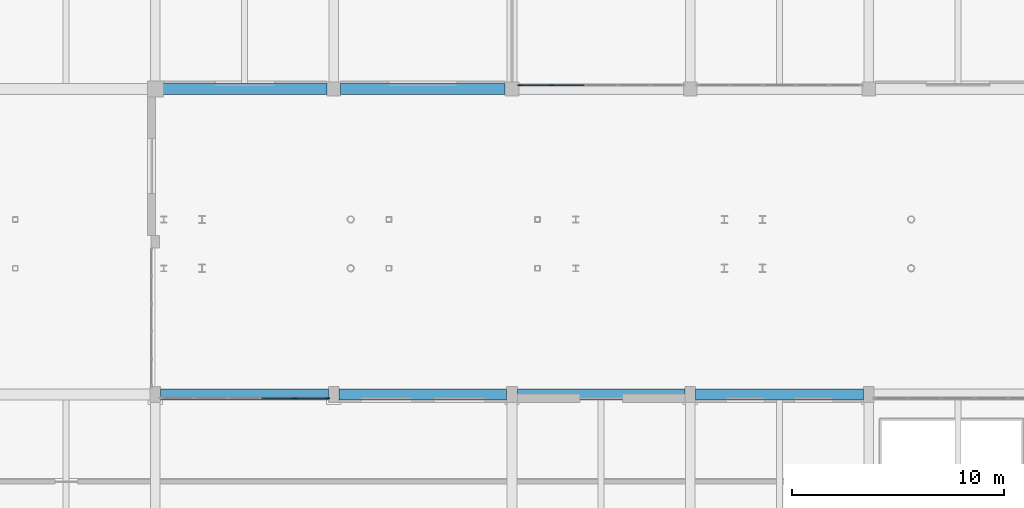
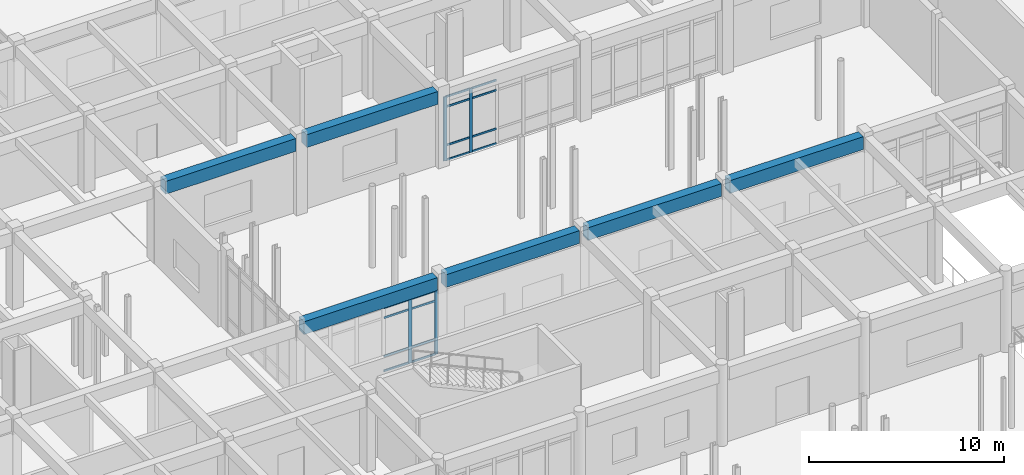
# One storey, part 52 of 121: 20 members, 6 beams, 2 elements without a shape of their own.
"""IFC4 building model written with IfcOpenShell, lengths in metres."""

from ifc_helpers import new_model, si_unit, direction, frame, origin, origin_2d, place, context, subcontext, project, spatial, rectangle, extrude, material, material_profile, profile_set, type_object, element, aggregate, save


model = new_model("IFC4")

# Units and contexts
model_context = context("Model", 3, precision=1e-05, world=origin(), true_north=direction((0.0, 1.0)))
body_context = subcontext(model_context, "Body", "Model", "MODEL_VIEW")
ifc_project = project(units=[si_unit("LENGTHUNIT", "METRE"), si_unit("AREAUNIT", "SQUARE_METRE"), si_unit("VOLUMEUNIT", "CUBIC_METRE"), si_unit("PLANEANGLEUNIT", "RADIAN"), si_unit("MASSUNIT", "GRAM", prefix="KILO")], contexts=[model_context])

# Site, building, storey
site_placement = place(None, origin())
site = spatial("IfcSite", under=ifc_project, at=site_placement, CompositionType="ELEMENT")
building_placement = place(site_placement, origin())
building = spatial("IfcBuilding", under=site, at=building_placement, Name="Malvenik Polytechnic", CompositionType="ELEMENT")
storey_placement = place(building_placement, origin())
storey = spatial("IfcBuildingStorey", under=building, at=storey_placement, Name="L00", CompositionType="ELEMENT", Elevation=0.0)

# Curtain wall, members
ifc_material_1 = material(Name="Anodised aluminium 6060-T6", Category="aluminium")
curtain_wall_type = type_object("IfcCurtainWallType", Name="ARC-CW-CW-01", PredefinedType="NOTDEFINED", material=ifc_material_1)
curtain_wall_1_placement = place(storey_placement, origin())
curtain_wall_1 = element("IfcCurtainWall", 1, at=curtain_wall_1_placement, inside=storey, type_object=curtain_wall_type, Name="Unitised Curtain Wall CW-01 L00 #19", PredefinedType="NOTDEFINED")
ifc_material_2 = material(Name="Anodised aluminium", Category="aluminium")
ifc_material_profile_1 = material_profile(ifc_material_2, rectangle(XDim=0.06005859375, YDim=0.179931640625, at=origin_2d()), Name="ALU MULLION 60x180")
ifc_profile_set_1 = profile_set([ifc_material_profile_1], Name="Anodised aluminium")
member_type_1 = type_object("IfcMemberType", Name="ARC-CWM-180", PredefinedType="MULLION", material=ifc_profile_set_1)
member_1_placement = place(storey_placement, frame((111.07373046875, 79.3701171875, 0.0), z_axis=(0.0, 0.0, 1.0), x_axis=(0.0, -1.0, 0.0)))
member_1 = element("IfcMember", 2, at=member_1_placement, type_object=member_type_1, Name="CW-01 mullion 5", PredefinedType="MULLION", context=body_context, shape_type="SweptSolid", body=[
    extrude(rectangle(XDim=0.06005859375, YDim=0.179931640625, at=origin_2d()), origin(), (0.0, 0.0, 1.0), 4.010009765625),
])
member_2_placement = place(storey_placement, frame((109.552978515625, 79.3701171875, 0.0), z_axis=(0.0, 0.0, 1.0), x_axis=(0.0, -1.0, 0.0)))
member_2 = element("IfcMember", 3, at=member_2_placement, type_object=member_type_1, Name="CW-01 mullion 6", PredefinedType="MULLION", context=body_context, shape_type="SweptSolid", body=[
    extrude(rectangle(XDim=0.06005859375, YDim=0.179931640625, at=origin_2d()), origin(), (0.0, 0.0, 1.0), 4.010009765625),
])

curtain_wall_2_placement = place(storey_placement, origin())
curtain_wall_2 = element("IfcCurtainWall", 4, at=curtain_wall_2_placement, inside=storey, type_object=curtain_wall_type, Name="Unitised Curtain Wall CW-01 L00 #21", PredefinedType="NOTDEFINED")
ifc_material_profile_2 = material_profile(ifc_material_2, rectangle(XDim=0.06005859375, YDim=0.199951171875, at=origin_2d()), Name="ALU MULLION 60x200")
ifc_profile_set_2 = profile_set([ifc_material_profile_2], Name="Anodised aluminium")
member_type_2 = type_object("IfcMemberType", Name="ARC-CWM-200", PredefinedType="MULLION", material=ifc_profile_set_2)
member_3_placement = place(storey_placement, frame((98.97119140625, 64.6298828125, 0.0), z_axis=(0.0, 0.0, 1.0), x_axis=(0.0, 1.0, 0.0)))
member_3 = element("IfcMember", 5, at=member_3_placement, type_object=member_type_2, Name="CW-01 mullion 5", PredefinedType="MULLION", context=body_context, shape_type="SweptSolid", body=[
    extrude(rectangle(XDim=0.06005859375, YDim=0.199951171875, at=origin_2d()), origin(), (0.0, 0.0, 1.0), 4.010009765625),
])
member_4_placement = place(storey_placement, frame((100.52197265625, 64.6298828125, 0.0), z_axis=(0.0, 0.0, 1.0), x_axis=(0.0, 1.0, 0.0)))
member_4 = element("IfcMember", 6, at=member_4_placement, type_object=member_type_2, Name="CW-01 mullion 6", PredefinedType="MULLION", context=body_context, shape_type="SweptSolid", body=[
    extrude(rectangle(XDim=0.06005859375, YDim=0.199951171875, at=origin_2d()), origin(), (0.0, 0.0, 1.0), 4.010009765625),
])

# Member
ifc_material_profile_3 = material_profile(ifc_material_2, rectangle(XDim=0.06005859375, YDim=0.1201171875, at=origin_2d()), Name="ALU TRANSOM 60x120")
ifc_profile_set_3 = profile_set([ifc_material_profile_3], Name="Anodised aluminium")
member_type_3 = type_object("IfcMemberType", Name="ARC-CWT-120", PredefinedType="USERDEFINED", material=ifc_profile_set_3)
member_5_placement = place(storey_placement, frame((112.594482421875, 79.3701171875, 0.030029296875), z_axis=(-1.0, 0.0, 0.0), x_axis=(0.0, -1.0, 0.0)))
member_5 = element("IfcMember", 7, at=member_5_placement, type_object=member_type_3, Name="CW-01 transom 4.1", ObjectType="TRANSOM", PredefinedType="USERDEFINED", context=body_context, shape_type="SweptSolid", body=[
    extrude(rectangle(XDim=0.06005859375, YDim=0.1201171875, at=origin_2d()), origin(), (0.0, 0.0, 1.0), 1.49072265625),
])

member_6_placement = place(storey_placement, frame((112.594482421875, 79.3701171875, 0.949951171875), z_axis=(-1.0, 0.0, 0.0), x_axis=(0.0, -1.0, 0.0)))
member_6 = element("IfcMember", 8, at=member_6_placement, type_object=member_type_3, Name="CW-01 transom 4.2", ObjectType="TRANSOM", PredefinedType="USERDEFINED", context=body_context, shape_type="SweptSolid", body=[
    extrude(rectangle(XDim=0.06005859375, YDim=0.1201171875, at=origin_2d()), origin(), (0.0, 0.0, 1.0), 1.49072265625),
])

member_7_placement = place(storey_placement, frame((112.594482421875, 79.3701171875, 3.360107421875), z_axis=(-1.0, 0.0, 0.0), x_axis=(0.0, -1.0, 0.0)))
member_7 = element("IfcMember", 9, at=member_7_placement, type_object=member_type_3, Name="CW-01 transom 4.3", ObjectType="TRANSOM", PredefinedType="USERDEFINED", context=body_context, shape_type="SweptSolid", body=[
    extrude(rectangle(XDim=0.06005859375, YDim=0.1201171875, at=origin_2d()), origin(), (0.0, 0.0, 1.0), 1.49072265625),
])

member_8_placement = place(storey_placement, frame((112.594482421875, 79.3701171875, 3.97998046875), z_axis=(-1.0, 0.0, 0.0), x_axis=(0.0, -1.0, 0.0)))
member_8 = element("IfcMember", 10, at=member_8_placement, type_object=member_type_3, Name="CW-01 transom 4.4", ObjectType="TRANSOM", PredefinedType="USERDEFINED", context=body_context, shape_type="SweptSolid", body=[
    extrude(rectangle(XDim=0.06005859375, YDim=0.1201171875, at=origin_2d()), origin(), (0.0, 0.0, 1.0), 1.49072265625),
])

member_9_placement = place(storey_placement, frame((111.043701171875, 79.3701171875, 0.030029296875), z_axis=(-1.0, 0.0, 0.0), x_axis=(0.0, -1.0, 0.0)))
member_9 = element("IfcMember", 11, at=member_9_placement, type_object=member_type_3, Name="CW-01 transom 5.1", ObjectType="TRANSOM", PredefinedType="USERDEFINED", context=body_context, shape_type="SweptSolid", body=[
    extrude(rectangle(XDim=0.06005859375, YDim=0.1201171875, at=origin_2d()), origin(), (0.0, 0.0, 1.0), 1.460693359375),
])

member_10_placement = place(storey_placement, frame((111.043701171875, 79.3701171875, 0.949951171875), z_axis=(-1.0, 0.0, 0.0), x_axis=(0.0, -1.0, 0.0)))
member_10 = element("IfcMember", 12, at=member_10_placement, type_object=member_type_3, Name="CW-01 transom 5.2", ObjectType="TRANSOM", PredefinedType="USERDEFINED", context=body_context, shape_type="SweptSolid", body=[
    extrude(rectangle(XDim=0.06005859375, YDim=0.1201171875, at=origin_2d()), origin(), (0.0, 0.0, 1.0), 1.460693359375),
])

member_11_placement = place(storey_placement, frame((111.043701171875, 79.3701171875, 3.360107421875), z_axis=(-1.0, 0.0, 0.0), x_axis=(0.0, -1.0, 0.0)))
member_11 = element("IfcMember", 13, at=member_11_placement, type_object=member_type_3, Name="CW-01 transom 5.3", ObjectType="TRANSOM", PredefinedType="USERDEFINED", context=body_context, shape_type="SweptSolid", body=[
    extrude(rectangle(XDim=0.06005859375, YDim=0.1201171875, at=origin_2d()), origin(), (0.0, 0.0, 1.0), 1.460693359375),
])

member_12_placement = place(storey_placement, frame((111.043701171875, 79.3701171875, 3.97998046875), z_axis=(-1.0, 0.0, 0.0), x_axis=(0.0, -1.0, 0.0)))
member_12 = element("IfcMember", 14, at=member_12_placement, type_object=member_type_3, Name="CW-01 transom 5.4", ObjectType="TRANSOM", PredefinedType="USERDEFINED", context=body_context, shape_type="SweptSolid", body=[
    extrude(rectangle(XDim=0.06005859375, YDim=0.1201171875, at=origin_2d()), origin(), (0.0, 0.0, 1.0), 1.460693359375),
])

aggregate(curtain_wall_1, [member_1, member_2, member_5, member_6, member_7, member_8, member_9, member_10, member_11, member_12])

member_13_placement = place(storey_placement, frame((97.42041015625, 64.6298828125, 0.030029296875), z_axis=(1.0, 0.0, 0.0), x_axis=(0.0, 1.0, 0.0)))
member_13 = element("IfcMember", 15, at=member_13_placement, type_object=member_type_3, Name="CW-01 transom 4.1", ObjectType="TRANSOM", PredefinedType="USERDEFINED", context=body_context, shape_type="SweptSolid", body=[
    extrude(rectangle(XDim=0.06005859375, YDim=0.1201171875, at=origin_2d()), origin(), (0.0, 0.0, 1.0), 1.520751953125),
])

member_14_placement = place(storey_placement, frame((97.42041015625, 64.6298828125, 0.949951171875), z_axis=(1.0, 0.0, 0.0), x_axis=(0.0, 1.0, 0.0)))
member_14 = element("IfcMember", 16, at=member_14_placement, type_object=member_type_3, Name="CW-01 transom 4.2", ObjectType="TRANSOM", PredefinedType="USERDEFINED", context=body_context, shape_type="SweptSolid", body=[
    extrude(rectangle(XDim=0.06005859375, YDim=0.1201171875, at=origin_2d()), origin(), (0.0, 0.0, 1.0), 1.520751953125),
])

member_15_placement = place(storey_placement, frame((97.42041015625, 64.6298828125, 3.360107421875), z_axis=(1.0, 0.0, 0.0), x_axis=(0.0, 1.0, 0.0)))
member_15 = element("IfcMember", 17, at=member_15_placement, type_object=member_type_3, Name="CW-01 transom 4.3", ObjectType="TRANSOM", PredefinedType="USERDEFINED", context=body_context, shape_type="SweptSolid", body=[
    extrude(rectangle(XDim=0.06005859375, YDim=0.1201171875, at=origin_2d()), origin(), (0.0, 0.0, 1.0), 1.520751953125),
])

member_16_placement = place(storey_placement, frame((97.42041015625, 64.6298828125, 3.97998046875), z_axis=(1.0, 0.0, 0.0), x_axis=(0.0, 1.0, 0.0)))
member_16 = element("IfcMember", 18, at=member_16_placement, type_object=member_type_3, Name="CW-01 transom 4.4", ObjectType="TRANSOM", PredefinedType="USERDEFINED", context=body_context, shape_type="SweptSolid", body=[
    extrude(rectangle(XDim=0.06005859375, YDim=0.1201171875, at=origin_2d()), origin(), (0.0, 0.0, 1.0), 1.520751953125),
])

member_17_placement = place(storey_placement, frame((99.001220703125, 64.6298828125, 0.030029296875), z_axis=(1.0, 0.0, 0.0), x_axis=(0.0, 1.0, 0.0)))
member_17 = element("IfcMember", 19, at=member_17_placement, type_object=member_type_3, Name="CW-01 transom 5.1", ObjectType="TRANSOM", PredefinedType="USERDEFINED", context=body_context, shape_type="SweptSolid", body=[
    extrude(rectangle(XDim=0.06005859375, YDim=0.1201171875, at=origin_2d()), origin(), (0.0, 0.0, 1.0), 1.49072265625),
])

member_18_placement = place(storey_placement, frame((99.001220703125, 64.6298828125, 0.949951171875), z_axis=(1.0, 0.0, 0.0), x_axis=(0.0, 1.0, 0.0)))
member_18 = element("IfcMember", 20, at=member_18_placement, type_object=member_type_3, Name="CW-01 transom 5.2", ObjectType="TRANSOM", PredefinedType="USERDEFINED", context=body_context, shape_type="SweptSolid", body=[
    extrude(rectangle(XDim=0.06005859375, YDim=0.1201171875, at=origin_2d()), origin(), (0.0, 0.0, 1.0), 1.49072265625),
])

member_19_placement = place(storey_placement, frame((99.001220703125, 64.6298828125, 3.360107421875), z_axis=(1.0, 0.0, 0.0), x_axis=(0.0, 1.0, 0.0)))
member_19 = element("IfcMember", 21, at=member_19_placement, type_object=member_type_3, Name="CW-01 transom 5.3", ObjectType="TRANSOM", PredefinedType="USERDEFINED", context=body_context, shape_type="SweptSolid", body=[
    extrude(rectangle(XDim=0.06005859375, YDim=0.1201171875, at=origin_2d()), origin(), (0.0, 0.0, 1.0), 1.49072265625),
])

member_20_placement = place(storey_placement, frame((99.001220703125, 64.6298828125, 3.97998046875), z_axis=(1.0, 0.0, 0.0), x_axis=(0.0, 1.0, 0.0)))
member_20 = element("IfcMember", 22, at=member_20_placement, type_object=member_type_3, Name="CW-01 transom 5.4", ObjectType="TRANSOM", PredefinedType="USERDEFINED", context=body_context, shape_type="SweptSolid", body=[
    extrude(rectangle(XDim=0.06005859375, YDim=0.1201171875, at=origin_2d()), origin(), (0.0, 0.0, 1.0), 1.49072265625),
])

aggregate(curtain_wall_2, [member_3, member_4, member_13, member_14, member_15, member_16, member_17, member_18, member_19, member_20])

# Beams
ifc_material_3 = material(Name="Precast concrete C40/50", Category="concrete")
ifc_material_profile_4 = material_profile(ifc_material_3, rectangle(XDim=0.52001953125, YDim=0.800048828125, at=origin_2d()), Name="PC SPN 520x800")
ifc_profile_set_4 = profile_set([ifc_material_profile_4], Name="Precast concrete C40/50")
beam_type = type_object("IfcBeamType", Name="STR-BM-SP-01", PredefinedType="SPANDREL", material=ifc_profile_set_4)
beam_1_placement = place(storey_placement, frame((92.64794921875, 64.800048828125, 4.419921875), z_axis=(1.0, 0.0, 0.0), x_axis=(0.0, 1.0, 0.0)))
element("IfcBeam", 23, at=beam_1_placement, inside=storey, type_object=beam_type, Name="Primary Beam SP-01 L00 #606", PredefinedType="SPANDREL", context=body_context, shape_type="SweptSolid", body=[
    extrude(rectangle(XDim=0.52001953125, YDim=0.800048828125, at=origin_2d()), origin(), (0.0, 0.0, 1.0), 7.904052734375),
])
beam_2_placement = place(storey_placement, frame((101.048095703125, 64.800048828125, 4.419921875), z_axis=(1.0, 0.0, 0.0), x_axis=(0.0, 1.0, 0.0)))
element("IfcBeam", 24, at=beam_2_placement, inside=storey, type_object=beam_type, Name="Primary Beam SP-01 L00 #607", PredefinedType="SPANDREL", context=body_context, shape_type="SweptSolid", body=[
    extrude(rectangle(XDim=0.52001953125, YDim=0.800048828125, at=origin_2d()), origin(), (0.0, 0.0, 1.0), 7.90380859375),
])
for number, where, z_axis, x_axis, name in (
    (25, (109.447998046875, 64.800048828125, 4.419921875), (1.0, 0.0, 0.0), (0.0, 1.0, 0.0), "Primary Beam SP-01 L00 #608"),
    (26, (117.847900390625, 64.800048828125, 4.419921875), (1.0, 0.0, 0.0), (0.0, 1.0, 0.0), "Primary Beam SP-01 L00 #609"),
):
    element("IfcBeam", number, at=place(storey_placement, frame(where, z_axis=z_axis, x_axis=x_axis)), inside=storey, type_object=beam_type, Name=name, PredefinedType="SPANDREL", context=body_context, shape_type="SweptSolid", body=[
        extrude(rectangle(XDim=0.52001953125, YDim=0.800048828125, at=origin_2d()), origin(), (0.0, 0.0, 1.0), 7.904052734375),
    ])
beam_3_placement = place(storey_placement, frame((92.77294921875, 79.199951171875, 4.419921875), z_axis=(1.0, 0.0, 0.0), x_axis=(0.0, 1.0, 0.0)))
element("IfcBeam", 27, at=beam_3_placement, inside=storey, type_object=beam_type, Name="Primary Beam SP-01 L00 #623", PredefinedType="SPANDREL", context=body_context, shape_type="SweptSolid", body=[
    extrude(rectangle(XDim=0.52001953125, YDim=0.800048828125, at=origin_2d()), origin(), (0.0, 0.0, 1.0), 7.7041015625),
])
beam_4_placement = place(storey_placement, frame((101.123046875, 79.199951171875, 4.419921875), z_axis=(1.0, 0.0, 0.0), x_axis=(0.0, 1.0, 0.0)))
element("IfcBeam", 28, at=beam_4_placement, inside=storey, type_object=beam_type, Name="Primary Beam SP-01 L00 #624", PredefinedType="SPANDREL", context=body_context, shape_type="SweptSolid", body=[
    extrude(rectangle(XDim=0.52001953125, YDim=0.800048828125, at=origin_2d()), origin(), (0.0, 0.0, 1.0), 7.75390625),
])

save(model, "model.ifc")
